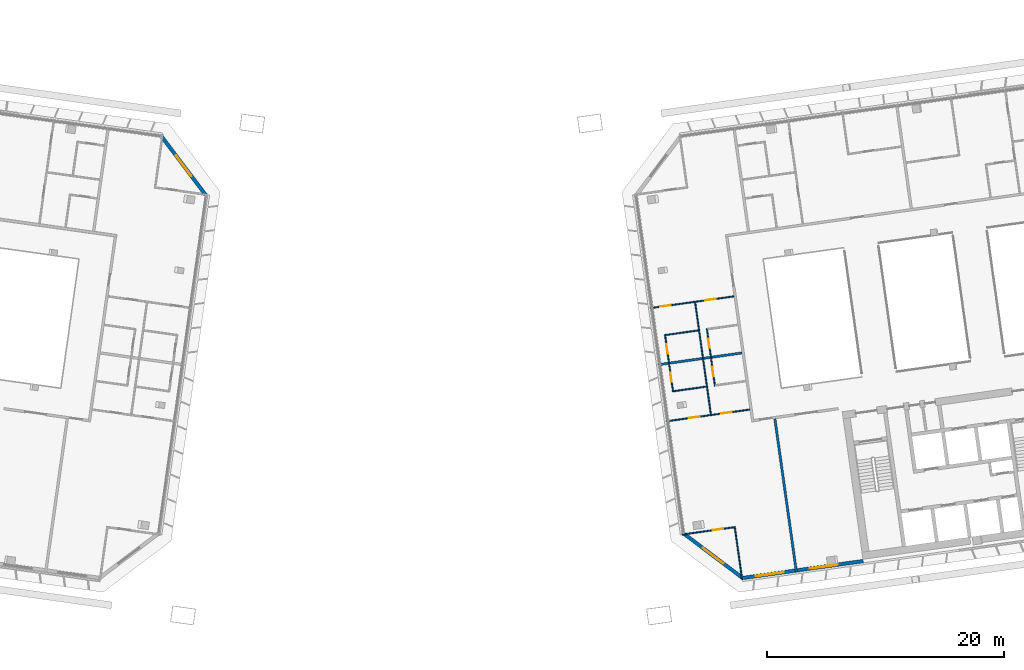
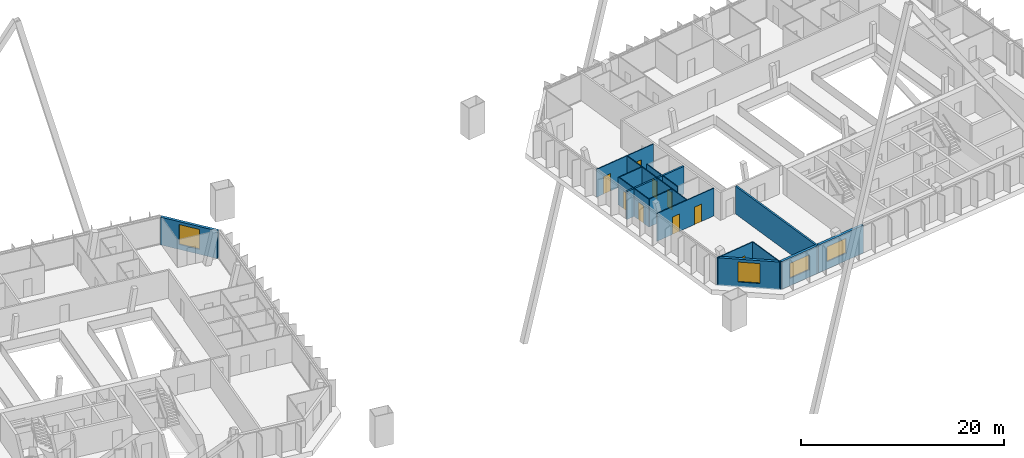
# One storey, part 22 of 28: 14 walls, 9 doors, 4 windows, 13 openings.
"""IFC4 building model written with IfcOpenShell, lengths in metres."""

from ifc_helpers import new_model, si_unit, direction, frame, frame_2d, origin, place, context, subcontext, project, spatial, rectangle, extrude, material, layer, layer_set, type_object, element, fill, save


model = new_model("IFC4")

# Units and contexts
model_context = context("Model", 3, precision=1e-05, world=origin(), true_north=direction((0.0, 1.0)))
body_context = subcontext(model_context, "Body", "Model", "MODEL_VIEW")
ifc_project = project(units=[si_unit("LENGTHUNIT", "METRE"), si_unit("AREAUNIT", "SQUARE_METRE"), si_unit("VOLUMEUNIT", "CUBIC_METRE"), si_unit("PLANEANGLEUNIT", "RADIAN"), si_unit("MASSUNIT", "GRAM", prefix="KILO")], contexts=[model_context])

# Site, building, storey
site_placement = place(None, origin())
site = spatial("IfcSite", under=ifc_project, at=site_placement, CompositionType="ELEMENT")
building_placement = place(site_placement, origin())
building = spatial("IfcBuilding", under=site, at=building_placement, Name="Mirante Cascada Hotel Towers", CompositionType="ELEMENT")
storey_placement = place(building_placement, frame((0.0, 0.0, 243.2)))
storey = spatial("IfcBuildingStorey", under=building, at=storey_placement, Name="L58", CompositionType="ELEMENT", Elevation=243.2)

# Walls
ifc_material_1 = material(Name="Fire-rated plasterboard on metal studs")
ifc_layer_1 = layer(ifc_material_1, 0.2)
ifc_layer_set_1 = layer_set([ifc_layer_1], Name="Compartment wall 200 EI 120")
wall_type_1 = type_object("IfcWallType", Name="Compartment wall 200 EI 120", PredefinedType="PARTITIONING", material=ifc_layer_set_1)
wall_1_placement = place(storey_placement, frame((20.0477, -3.3987, 0.0), z_axis=(0.0, 0.0, 1.0), x_axis=(0.9902681, 0.1391732, 0.0)))
element("IfcWall", 1, at=wall_1_placement, inside=storey, type_object=wall_type_1, Name="Wall 2-L58-07", PredefinedType="PARTITIONING", context=body_context, shape_type="SweptSolid", body=[
    extrude(rectangle(XDim=7.1501, YDim=0.2, at=frame_2d((3.575, 0.0))), origin(), (0.0, 0.0, 1.0), 3.35),
])
wall_2_placement = place(storey_placement, frame((31.7344, -20.943, 0.0), z_axis=(0.0, 0.0, 1.0), x_axis=(-0.1391682, 0.9902688, 0.0)))
element("IfcWall", 2, at=wall_2_placement, inside=storey, type_object=wall_type_1, Name="Wall 2-L58-33", PredefinedType="PARTITIONING", context=body_context, shape_type="SweptSolid", body=[
    extrude(rectangle(XDim=13.1, YDim=0.2, at=frame_2d((6.55, 0.0))), origin(), (0.0, 0.0, 1.0), 3.35),
])

# Wall, opening, door
ifc_material_2 = material(Name="Plasterboard on metal studs")
ifc_layer_2 = layer(ifc_material_2, 0.1)
ifc_layer_set_2 = layer_set([ifc_layer_2], Name="Partition 100")
wall_type_2 = type_object("IfcWallType", Name="Partition 100", PredefinedType="PARTITIONING", material=ifc_layer_set_2)
wall_3_placement = place(storey_placement, frame((22.0657, -17.7576, 0.0), z_axis=(0.0, 0.0, 1.0), x_axis=(0.9902691, 0.1391656, 0.0)))
wall_3 = element("IfcWall", 3, at=wall_3_placement, inside=storey, type_object=wall_type_2, Name="Wall 2-L58-01", PredefinedType="PARTITIONING", context=body_context, shape_type="SweptSolid", body=[
    extrude(rectangle(XDim=4.55, YDim=0.1, at=frame_2d((2.275, 0.0))), origin(), (0.0, 0.0, 1.0), 3.35),
])
opening_1_placement = place(wall_3_placement, frame((2.6101, 0.0, 0.0)))
opening_1 = element("IfcOpeningElement", 4, at=opening_1_placement, cuts=wall_3, Name="Opening D2-L58-01", PredefinedType="OPENING", context=body_context, shape_type="SweptSolid", body=[
    extrude(rectangle(XDim=0.9, YDim=2.1, at=frame_2d((0.45, 1.05))), frame((0.0, 0.05, 0.0), z_axis=(0.0, -1.0, 0.0), x_axis=(1.0, 0.0, 0.0)), (0.0, 0.0, 1.0), 0.1),
])
ifc_material_3 = material(Name="Timber door leaf", Category="wood")
door_type_1 = type_object("IfcDoorType", Name="Room door DG3 900x2100", OperationType="SINGLE_SWING_LEFT", PredefinedType="DOOR", material=ifc_material_3)
door_1_placement = place(opening_1_placement, origin())
door_1 = element("IfcDoor", 5, at=door_1_placement, inside=storey, type_object=door_type_1, Name="Door D2-L58-01", OperationType="SINGLE_SWING_LEFT", OverallHeight=2.1, OverallWidth=0.9, PredefinedType="DOOR", context=body_context, shape_type="SweptSolid", body=[
    extrude(rectangle(XDim=0.9, YDim=2.1, at=frame_2d((0.45, 1.05))), frame((0.0, 0.025, 0.0), z_axis=(0.0, -1.0, 0.0), x_axis=(1.0, 0.0, 0.0)), (0.0, 0.0, 1.0), 0.05),
])
fill(opening_1, door_1)

# Wall, openings, doors
wall_4_placement = place(storey_placement, frame((20.7204, -8.185, 0.0), z_axis=(0.0, 0.0, 1.0), x_axis=(0.9902681, 0.1391732, 0.0)))
wall_4 = element("IfcWall", 6, at=wall_4_placement, inside=storey, type_object=wall_type_2, Name="Wall 2-L58-03", PredefinedType="PARTITIONING", context=body_context, shape_type="SweptSolid", body=[
    extrude(rectangle(XDim=7.1501, YDim=0.1, at=frame_2d((3.575, 0.0))), origin(), (0.0, 0.0, 1.0), 3.35),
])
opening_2_placement = place(wall_4_placement, frame((1.95, 0.0, 0.0)))
opening_2 = element("IfcOpeningElement", 7, at=opening_2_placement, cuts=wall_4, Name="Opening D2-L58-04", PredefinedType="OPENING", context=body_context, shape_type="SweptSolid", body=[
    extrude(rectangle(XDim=0.9, YDim=2.1, at=frame_2d((0.45, 1.05))), frame((0.0, 0.05, 0.0), z_axis=(0.0, -1.0, 0.0), x_axis=(1.0, 0.0, 0.0)), (0.0, 0.0, 1.0), 0.1),
])
opening_3_placement = place(wall_4_placement, frame((4.6876, 0.0, 0.0)))
opening_3 = element("IfcOpeningElement", 8, at=opening_3_placement, cuts=wall_4, Name="Opening D2-L58-05", PredefinedType="OPENING", context=body_context, shape_type="SweptSolid", body=[
    extrude(rectangle(XDim=0.9, YDim=2.1, at=frame_2d((0.45, 1.05))), frame((0.0, 0.05, 0.0), z_axis=(0.0, -1.0, 0.0), x_axis=(1.0, 0.0, 0.0)), (0.0, 0.0, 1.0), 0.1),
])
door_2_placement = place(opening_2_placement, frame((0.9, 0.0, 0.0), z_axis=(0.0, 0.0, 1.0), x_axis=(-1.0, 0.0, 0.0)))
door_2 = element("IfcDoor", 9, at=door_2_placement, inside=storey, type_object=door_type_1, Name="Door D2-L58-04", OperationType="SINGLE_SWING_RIGHT", OverallHeight=2.1, OverallWidth=0.9, PredefinedType="DOOR", context=body_context, shape_type="SweptSolid", body=[
    extrude(rectangle(XDim=0.9, YDim=2.1, at=frame_2d((0.45, 1.05))), frame((0.0, 0.025, 0.0), z_axis=(0.0, -1.0, 0.0), x_axis=(1.0, 0.0, 0.0)), (0.0, 0.0, 1.0), 0.05),
])
fill(opening_2, door_2)
door_3_placement = place(opening_3_placement, frame((0.9, 0.0, 0.0), z_axis=(0.0, 0.0, 1.0), x_axis=(-1.0, 0.0, 0.0)))
door_3 = element("IfcDoor", 10, at=door_3_placement, inside=storey, type_object=door_type_1, Name="Door D2-L58-05", OperationType="SINGLE_SWING_RIGHT", OverallHeight=2.1, OverallWidth=0.9, PredefinedType="DOOR", context=body_context, shape_type="SweptSolid", body=[
    extrude(rectangle(XDim=0.9, YDim=2.1, at=frame_2d((0.45, 1.05))), frame((0.0, 0.025, 0.0), z_axis=(0.0, -1.0, 0.0), x_axis=(1.0, 0.0, 0.0)), (0.0, 0.0, 1.0), 0.05),
])
fill(opening_3, door_3)

# Walls
wall_5_placement = place(storey_placement, frame((21.3473, -5.6396, 0.0), z_axis=(0.0, 0.0, 1.0), x_axis=(0.9902726, 0.139141, 0.0)))
element("IfcWall", 11, at=wall_5_placement, inside=storey, type_object=wall_type_2, Name="Wall 2-L58-05", PredefinedType="PARTITIONING", context=body_context, shape_type="SweptSolid", body=[
    extrude(rectangle(XDim=2.8, YDim=0.1, at=frame_2d((1.4, 0.0))), origin(), (0.0, 0.0, 1.0), 3.35),
])
wall_6_placement = place(storey_placement, frame((20.6793, -0.8864, 0.0), z_axis=(0.0, 0.0, 1.0), x_axis=(0.9902677, 0.139176, 0.0)))
element("IfcWall", 12, at=wall_6_placement, inside=storey, type_object=wall_type_2, Name="Wall 2-L58-09", PredefinedType="PARTITIONING", context=body_context, shape_type="SweptSolid", body=[
    extrude(rectangle(XDim=2.8001, YDim=0.1, at=frame_2d((1.4, 0.0))), origin(), (0.0, 0.0, 1.0), 3.35),
])

# Wall, openings, doors
wall_7_placement = place(storey_placement, frame((26.4556, 2.3827, 0.0), z_axis=(0.0, 0.0, 1.0), x_axis=(-0.9902683, -0.1391713, 0.0)))
wall_7 = element("IfcWall", 13, at=wall_7_placement, inside=storey, type_object=wall_type_2, Name="Wall 2-L58-12", PredefinedType="PARTITIONING", context=body_context, shape_type="SweptSolid", body=[
    extrude(rectangle(XDim=7.1502, YDim=0.1, at=frame_2d((3.5751, 0.0))), origin(), (0.0, 0.0, 1.0), 3.35),
])
opening_4_placement = place(wall_7_placement, frame((5.3875, 0.0, 0.0)))
opening_4 = element("IfcOpeningElement", 14, at=opening_4_placement, cuts=wall_7, Name="Opening D2-L58-07", PredefinedType="OPENING", context=body_context, shape_type="SweptSolid", body=[
    extrude(rectangle(XDim=0.9, YDim=2.1, at=frame_2d((0.45, 1.05))), frame((0.0, 0.05, 0.0), z_axis=(0.0, -1.0, 0.0), x_axis=(1.0, 0.0, 0.0)), (0.0, 0.0, 1.0), 0.1),
])
opening_5_placement = place(wall_7_placement, frame((1.5625, 0.0, 0.0)))
opening_5 = element("IfcOpeningElement", 15, at=opening_5_placement, cuts=wall_7, Name="Opening D2-L58-08", PredefinedType="OPENING", context=body_context, shape_type="SweptSolid", body=[
    extrude(rectangle(XDim=0.9, YDim=2.1, at=frame_2d((0.45, 1.05))), frame((0.0, 0.05, 0.0), z_axis=(0.0, -1.0, 0.0), x_axis=(1.0, 0.0, 0.0)), (0.0, 0.0, 1.0), 0.1),
])
door_4_placement = place(opening_4_placement, frame((0.9, 0.0, 0.0), z_axis=(0.0, 0.0, 1.0), x_axis=(-1.0, 0.0, 0.0)))
door_4 = element("IfcDoor", 16, at=door_4_placement, inside=storey, type_object=door_type_1, Name="Door D2-L58-07", OperationType="SINGLE_SWING_RIGHT", OverallHeight=2.1, OverallWidth=0.9, PredefinedType="DOOR", context=body_context, shape_type="SweptSolid", body=[
    extrude(rectangle(XDim=0.9, YDim=2.1, at=frame_2d((0.45, 1.05))), frame((0.0, 0.025, 0.0), z_axis=(0.0, -1.0, 0.0), x_axis=(1.0, 0.0, 0.0)), (0.0, 0.0, 1.0), 0.05),
])
fill(opening_4, door_4)
door_5_placement = place(opening_5_placement, frame((0.9, 0.0, 0.0), z_axis=(0.0, 0.0, 1.0), x_axis=(-1.0, 0.0, 0.0)))
door_5 = element("IfcDoor", 17, at=door_5_placement, inside=storey, type_object=door_type_1, Name="Door D2-L58-08", OperationType="SINGLE_SWING_RIGHT", OverallHeight=2.1, OverallWidth=0.9, PredefinedType="DOOR", context=body_context, shape_type="SweptSolid", body=[
    extrude(rectangle(XDim=0.9, YDim=2.1, at=frame_2d((0.45, 1.05))), frame((0.0, 0.025, 0.0), z_axis=(0.0, -1.0, 0.0), x_axis=(1.0, 0.0, 0.0)), (0.0, 0.0, 1.0), 0.05),
])
fill(opening_5, door_5)

wall_8_placement = place(storey_placement, frame((21.3048, -5.6961, 0.0), z_axis=(0.0, 0.0, 1.0), x_axis=(-0.1391838, 0.9902666, 0.0)))
wall_8 = element("IfcWall", 18, at=wall_8_placement, inside=storey, type_object=wall_type_2, Name="Wall 2-L58-27", PredefinedType="PARTITIONING", context=body_context, shape_type="SweptSolid", body=[
    extrude(rectangle(XDim=4.9, YDim=0.1, at=frame_2d((2.45, 0.0))), origin(), (0.0, 0.0, 1.0), 3.35),
])
opening_6_placement = place(wall_8_placement, frame((0.85, 0.0, 0.0)))
opening_6 = element("IfcOpeningElement", 19, at=opening_6_placement, cuts=wall_8, Name="Opening D2-L58-19", PredefinedType="OPENING", context=body_context, shape_type="SweptSolid", body=[
    extrude(rectangle(XDim=0.8, YDim=2.1, at=frame_2d((0.4, 1.05))), frame((0.0, 0.05, 0.0), z_axis=(0.0, -1.0, 0.0), x_axis=(1.0, 0.0, 0.0)), (0.0, 0.0, 1.0), 0.1),
])
opening_7_placement = place(wall_8_placement, frame((3.25, 0.0, 0.0)))
opening_7 = element("IfcOpeningElement", 20, at=opening_7_placement, cuts=wall_8, Name="Opening D2-L58-20", PredefinedType="OPENING", context=body_context, shape_type="SweptSolid", body=[
    extrude(rectangle(XDim=0.8, YDim=2.1, at=frame_2d((0.4, 1.05))), frame((0.0, 0.05, 0.0), z_axis=(0.0, -1.0, 0.0), x_axis=(1.0, 0.0, 0.0)), (0.0, 0.0, 1.0), 0.1),
])
ifc_material_4 = material(Name="Timber door leaf", Category="wood")
door_type_2 = type_object("IfcDoorType", Name="Bathroom door DG4 800x2100", OperationType="SINGLE_SWING_LEFT", PredefinedType="DOOR", material=ifc_material_4)
door_6_placement = place(opening_6_placement, frame((0.8, 0.0, 0.0), z_axis=(0.0, 0.0, 1.0), x_axis=(-1.0, 0.0, 0.0)))
door_6 = element("IfcDoor", 21, at=door_6_placement, inside=storey, type_object=door_type_2, Name="Door D2-L58-19", OperationType="SINGLE_SWING_RIGHT", OverallHeight=2.1, OverallWidth=0.8, PredefinedType="DOOR", context=body_context, shape_type="SweptSolid", body=[
    extrude(rectangle(XDim=0.8, YDim=2.1, at=frame_2d((0.4, 1.05))), frame((0.0, 0.025, 0.0), z_axis=(0.0, -1.0, 0.0), x_axis=(1.0, 0.0, 0.0)), (0.0, 0.0, 1.0), 0.05),
])
fill(opening_6, door_6)
door_7_placement = place(opening_7_placement, frame((0.8, 0.0, 0.0), z_axis=(0.0, 0.0, 1.0), x_axis=(-1.0, 0.0, 0.0)))
door_7 = element("IfcDoor", 22, at=door_7_placement, inside=storey, type_object=door_type_2, Name="Door D2-L58-20", OperationType="SINGLE_SWING_RIGHT", OverallHeight=2.1, OverallWidth=0.8, PredefinedType="DOOR", context=body_context, shape_type="SweptSolid", body=[
    extrude(rectangle(XDim=0.8, YDim=2.1, at=frame_2d((0.4, 1.05))), frame((0.0, 0.025, 0.0), z_axis=(0.0, -1.0, 0.0), x_axis=(1.0, 0.0, 0.0)), (0.0, 0.0, 1.0), 0.05),
])
fill(opening_7, door_7)

# Walls
wall_9_placement = place(storey_placement, frame((23.1699, 1.8704, 0.0), z_axis=(0.0, 0.0, 1.0), x_axis=(0.1391717, -0.9902683, 0.0)))
element("IfcWall", 23, at=wall_9_placement, inside=storey, type_object=wall_type_2, Name="Wall 2-L58-28", PredefinedType="PARTITIONING", context=body_context, shape_type="SweptSolid", body=[
    extrude(rectangle(XDim=9.5666, YDim=0.1, at=frame_2d((4.7833, 0.0))), origin(), (0.0, 0.0, 1.0), 3.35),
])
wall_10_placement = place(storey_placement, frame((27.1482, -21.5875, 0.0), z_axis=(0.0, 0.0, 1.0), x_axis=(-0.1391684, 0.9902687, 0.0)))
element("IfcWall", 24, at=wall_10_placement, inside=storey, type_object=wall_type_2, Name="Wall 2-L58-29", PredefinedType="PARTITIONING", context=body_context, shape_type="SweptSolid", body=[
    extrude(rectangle(XDim=4.45, YDim=0.1, at=frame_2d((2.225, 0.0))), origin(), (0.0, 0.0, 1.0), 3.35),
])

# Wall, openings, doors
wall_11_placement = place(storey_placement, frame((24.1629, -0.3463, 0.0), z_axis=(0.0, 0.0, 1.0), x_axis=(0.1391838, -0.9902666, 0.0)))
wall_11 = element("IfcWall", 25, at=wall_11_placement, inside=storey, type_object=wall_type_2, Name="Wall 2-L58-30", PredefinedType="PARTITIONING", context=body_context, shape_type="SweptSolid", body=[
    extrude(rectangle(XDim=4.9, YDim=0.1, at=frame_2d((2.45, 0.0))), origin(), (0.0, 0.0, 1.0), 3.35),
])
opening_8_placement = place(wall_11_placement, frame((3.25, 0.0, 0.0)))
opening_8 = element("IfcOpeningElement", 26, at=opening_8_placement, cuts=wall_11, Name="Opening D2-L58-21", PredefinedType="OPENING", context=body_context, shape_type="SweptSolid", body=[
    extrude(rectangle(XDim=0.8, YDim=2.1, at=frame_2d((0.4, 1.05))), frame((0.0, 0.05, 0.0), z_axis=(0.0, -1.0, 0.0), x_axis=(1.0, 0.0, 0.0)), (0.0, 0.0, 1.0), 0.1),
])
opening_9_placement = place(wall_11_placement, frame((0.85, 0.0, 0.0)))
opening_9 = element("IfcOpeningElement", 27, at=opening_9_placement, cuts=wall_11, Name="Opening D2-L58-22", PredefinedType="OPENING", context=body_context, shape_type="SweptSolid", body=[
    extrude(rectangle(XDim=0.8, YDim=2.1, at=frame_2d((0.4, 1.05))), frame((0.0, 0.05, 0.0), z_axis=(0.0, -1.0, 0.0), x_axis=(1.0, 0.0, 0.0)), (0.0, 0.0, 1.0), 0.1),
])
door_8_placement = place(opening_8_placement, origin())
door_8 = element("IfcDoor", 28, at=door_8_placement, inside=storey, type_object=door_type_2, Name="Door D2-L58-21", OperationType="SINGLE_SWING_LEFT", OverallHeight=2.1, OverallWidth=0.8, PredefinedType="DOOR", context=body_context, shape_type="SweptSolid", body=[
    extrude(rectangle(XDim=0.8, YDim=2.1, at=frame_2d((0.4, 1.05))), frame((0.0, 0.025, 0.0), z_axis=(0.0, -1.0, 0.0), x_axis=(1.0, 0.0, 0.0)), (0.0, 0.0, 1.0), 0.05),
])
fill(opening_8, door_8)
door_9_placement = place(opening_9_placement, origin())
door_9 = element("IfcDoor", 29, at=door_9_placement, inside=storey, type_object=door_type_2, Name="Door D2-L58-22", OperationType="SINGLE_SWING_LEFT", OverallHeight=2.1, OverallWidth=0.8, PredefinedType="DOOR", context=body_context, shape_type="SweptSolid", body=[
    extrude(rectangle(XDim=0.8, YDim=2.1, at=frame_2d((0.4, 1.05))), frame((0.0, 0.025, 0.0), z_axis=(0.0, -1.0, 0.0), x_axis=(1.0, 0.0, 0.0)), (0.0, 0.0, 1.0), 0.05),
])
fill(opening_9, door_9)

# Wall, opening, window
ifc_material_5 = material(Name="Precast concrete C40/50", Category="concrete")
ifc_layer_3 = layer(ifc_material_5, 0.3)
ifc_layer_set_3 = layer_set([ifc_layer_3], Name="Precast concrete C40/50 cladding wall 300")
wall_type_3 = type_object("IfcWallType", Name="Precast concrete C40/50 cladding wall 300", PredefinedType="STANDARD", material=ifc_layer_set_3)
wall_12_placement = place(storey_placement, frame((-21.9048, 15.8533, 0.0), z_axis=(0.0, 0.0, 1.0), x_axis=(0.6018245, -0.7986283, 0.0)))
wall_12 = element("IfcWall", 30, at=wall_12_placement, inside=storey, type_object=wall_type_3, Name="Corner cladding wall T1 L58 front inner", PredefinedType="STANDARD", context=body_context, shape_type="SweptSolid", body=[
    extrude(rectangle(XDim=6.1157, YDim=0.3, at=frame_2d((3.0578, 0.0))), origin(), (0.0, 0.0, 1.0), 3.35),
])
opening_10_placement = place(wall_12_placement, frame((1.9578, 0.0, 0.6)))
opening_10 = element("IfcOpeningElement", 31, at=opening_10_placement, cuts=wall_12, Name="Opening W1-58-05", PredefinedType="OPENING", context=body_context, shape_type="SweptSolid", body=[
    extrude(rectangle(XDim=2.2, YDim=2.4, at=frame_2d((1.1, 1.2))), frame((0.0, 0.15, 0.0), z_axis=(0.0, -1.0, 0.0), x_axis=(1.0, 0.0, 0.0)), (0.0, 0.0, 1.0), 0.3),
])
ifc_material_6 = material(Name="Aluminium frame with clear double glazing", Category="aluminium")
window_type_1 = type_object("IfcWindowType", Name="Corner suite window 2200x2400", PartitioningType="DOUBLE_PANEL_VERTICAL", PredefinedType="WINDOW", material=ifc_material_6)
window_1_placement = place(opening_10_placement, origin())
window_1 = element("IfcWindow", 32, at=window_1_placement, inside=storey, type_object=window_type_1, Name="Window W1-58-05", OverallHeight=2.4, OverallWidth=2.2, PartitioningType="SINGLE_PANEL", PredefinedType="WINDOW", context=body_context, shape_type="SweptSolid", body=[
    extrude(rectangle(XDim=2.2, YDim=2.4, at=frame_2d((1.1, 1.2))), frame((0.0, 0.03, 0.0), z_axis=(0.0, -1.0, 0.0), x_axis=(1.0, 0.0, 0.0)), (0.0, 0.0, 1.0), 0.06),
])
fill(opening_10, window_1)

# Wall, openings, windows
wall_13_placement = place(storey_placement, frame((27.2503, -21.4217, 0.0), z_axis=(0.0, 0.0, 1.0), x_axis=(0.9902677, 0.1391757, 0.0)))
wall_13 = element("IfcWall", 33, at=wall_13_placement, inside=storey, type_object=wall_type_3, Name="Rear cladding wall T2 L58 1", PredefinedType="STANDARD", context=body_context, shape_type="SweptSolid", body=[
    extrude(rectangle(XDim=10.2259, YDim=0.3, at=frame_2d((5.113, 0.0))), origin(), (0.0, 0.0, 1.0), 3.35),
])
opening_11_placement = place(wall_13_placement, frame((1.0459, 0.0, 0.9)))
opening_11 = element("IfcOpeningElement", 34, at=opening_11_placement, cuts=wall_13, Name="Opening W2-58-01", PredefinedType="OPENING", context=body_context, shape_type="SweptSolid", body=[
    extrude(rectangle(XDim=2.4, YDim=1.8, at=frame_2d((1.2, 0.9))), frame((0.0, 0.15, 0.0), z_axis=(0.0, -1.0, 0.0), x_axis=(1.0, 0.0, 0.0)), (0.0, 0.0, 1.0), 0.3),
])
opening_12_placement = place(wall_13_placement, frame((5.6616, 0.0, 0.9)))
opening_12 = element("IfcOpeningElement", 35, at=opening_12_placement, cuts=wall_13, Name="Opening W2-58-02", PredefinedType="OPENING", context=body_context, shape_type="SweptSolid", body=[
    extrude(rectangle(XDim=2.4, YDim=1.8, at=frame_2d((1.2, 0.9))), frame((0.0, 0.15, 0.0), z_axis=(0.0, -1.0, 0.0), x_axis=(1.0, 0.0, 0.0)), (0.0, 0.0, 1.0), 0.3),
])
ifc_material_7 = material(Name="Aluminium frame with clear double glazing", Category="aluminium")
window_type_2 = type_object("IfcWindowType", Name="Punched window 2400x1800", PartitioningType="DOUBLE_PANEL_VERTICAL", PredefinedType="WINDOW", material=ifc_material_7)
window_2_placement = place(opening_11_placement, origin())
window_2 = element("IfcWindow", 36, at=window_2_placement, inside=storey, type_object=window_type_2, Name="Window W2-58-01", OverallHeight=1.8, OverallWidth=2.4, PartitioningType="SINGLE_PANEL", PredefinedType="WINDOW", context=body_context, shape_type="SweptSolid", body=[
    extrude(rectangle(XDim=2.4, YDim=1.8, at=frame_2d((1.2, 0.9))), frame((0.0, 0.03, 0.0), z_axis=(0.0, -1.0, 0.0), x_axis=(1.0, 0.0, 0.0)), (0.0, 0.0, 1.0), 0.06),
])
fill(opening_11, window_2)
window_3_placement = place(opening_12_placement, origin())
window_3 = element("IfcWindow", 37, at=window_3_placement, inside=storey, type_object=window_type_2, Name="Window W2-58-02", OverallHeight=1.8, OverallWidth=2.4, PartitioningType="SINGLE_PANEL", PredefinedType="WINDOW", context=body_context, shape_type="SweptSolid", body=[
    extrude(rectangle(XDim=2.4, YDim=1.8, at=frame_2d((1.2, 0.9))), frame((0.0, 0.03, 0.0), z_axis=(0.0, -1.0, 0.0), x_axis=(1.0, 0.0, 0.0)), (0.0, 0.0, 1.0), 0.06),
])
fill(opening_12, window_3)

# Wall, opening, window
wall_14_placement = place(storey_placement, frame((22.2552, -17.7125, 0.0), z_axis=(0.0, 0.0, 1.0), x_axis=(0.7986362, -0.6018141, 0.0)))
wall_14 = element("IfcWall", 38, at=wall_14_placement, inside=storey, type_object=wall_type_3, Name="Corner cladding wall T2 L58 inner rear", PredefinedType="STANDARD", context=body_context, shape_type="SweptSolid", body=[
    extrude(rectangle(XDim=6.1157, YDim=0.3, at=frame_2d((3.0578, 0.0))), origin(), (0.0, 0.0, 1.0), 3.35),
])
opening_13_placement = place(wall_14_placement, frame((1.9578, 0.0, 0.6)))
opening_13 = element("IfcOpeningElement", 39, at=opening_13_placement, cuts=wall_14, Name="Opening W2-58-06", PredefinedType="OPENING", context=body_context, shape_type="SweptSolid", body=[
    extrude(rectangle(XDim=2.2, YDim=2.4, at=frame_2d((1.1, 1.2))), frame((0.0, 0.15, 0.0), z_axis=(0.0, -1.0, 0.0), x_axis=(1.0, 0.0, 0.0)), (0.0, 0.0, 1.0), 0.3),
])
window_4_placement = place(opening_13_placement, origin())
window_4 = element("IfcWindow", 40, at=window_4_placement, inside=storey, type_object=window_type_1, Name="Window W2-58-06", OverallHeight=2.4, OverallWidth=2.2, PartitioningType="SINGLE_PANEL", PredefinedType="WINDOW", context=body_context, shape_type="SweptSolid", body=[
    extrude(rectangle(XDim=2.2, YDim=2.4, at=frame_2d((1.1, 1.2))), frame((0.0, 0.03, 0.0), z_axis=(0.0, -1.0, 0.0), x_axis=(1.0, 0.0, 0.0)), (0.0, 0.0, 1.0), 0.06),
])
fill(opening_13, window_4)

save(model, "model.ifc")
